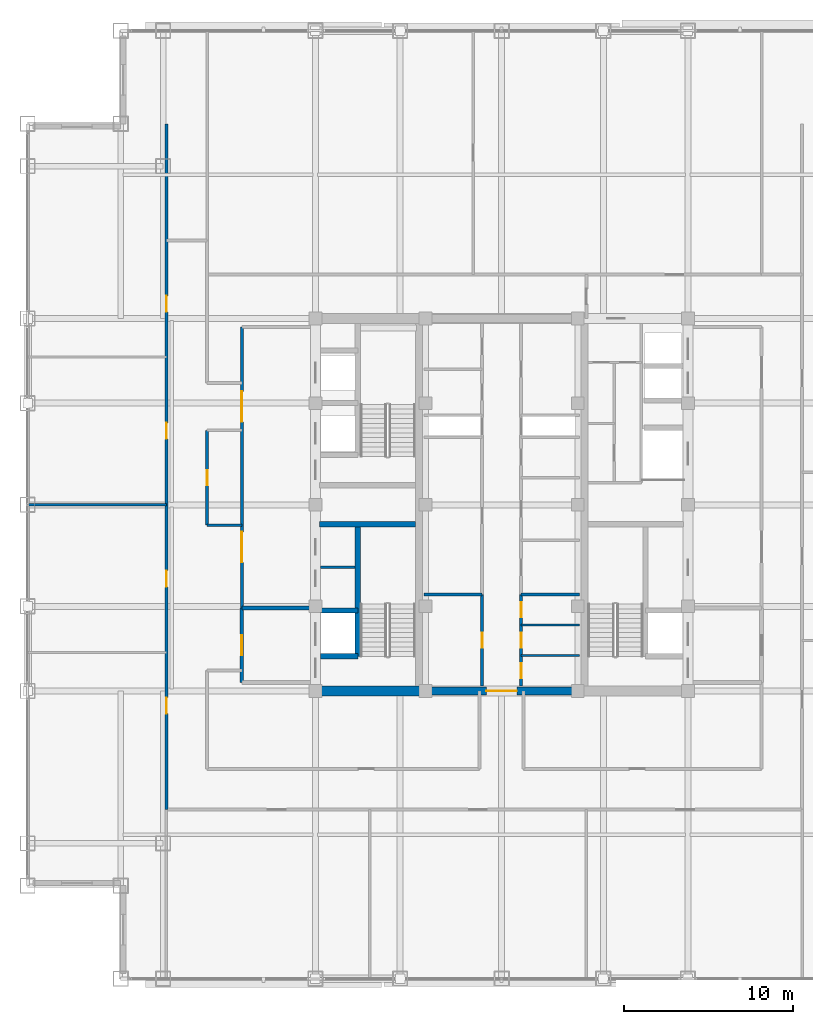
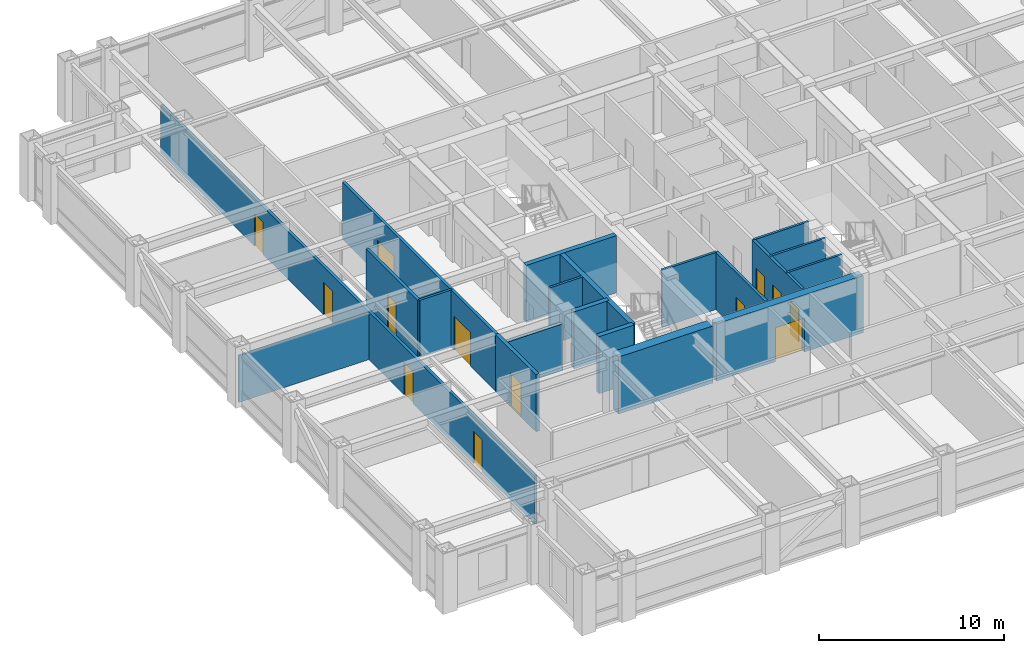
# One storey, part 18 of 27: 20 walls, 13 doors, 13 openings.
"""IFC4 building model written with IfcOpenShell, lengths in metres."""

import ifcopenshell
import ifcopenshell.guid

model = None  # the IFC model being written
_history = None  # IfcOwnerHistory: only IFC2X3 demands one
_inside = {}  # id of a spatial element -> (the spatial element, [elements in it])
_under = {}  # id of a project, library or spatial element -> (it, [spatial elements below it])
_declared = {}  # id of a project -> (the project, [libraries it declares])
_typed = {}  # id of a type object -> (the type object, [elements of that type])
_made_of = {}  # id of a material, layer set ... -> (it, [elements and type objects made of it])


def new_model(schema):
    """Start an empty IFC model of exactly this schema.

    Asked for "IFC4X3", IfcOpenShell would pick the latest addendum, in which some entities
    have other attributes; the version numbers below select the first issue.
    IFC2X3 requires an IfcOwnerHistory on every rooted entity: one is made here for all.
    """
    global model, _history
    if schema == "IFC4X3":
        model = ifcopenshell.file(schema_version=(4, 3, 0, 0))
    else:
        model = ifcopenshell.file(schema=schema)
    _inside.clear()
    _under.clear()
    _declared.clear()
    _typed.clear()
    _made_of.clear()
    _history = None
    if model.schema == "IFC2X3":
        org = make("IfcOrganization", Name="unknown")
        user = make(
            "IfcPersonAndOrganization",
            ThePerson=make("IfcPerson", FamilyName="unknown"),
            TheOrganization=org,
        )
        app = make(
            "IfcApplication",
            ApplicationDeveloper=org,
            Version="unknown",
            ApplicationFullName="unknown",
            ApplicationIdentifier="unknown",
        )
        _history = make(
            "IfcOwnerHistory",
            OwningUser=user,
            OwningApplication=app,
            ChangeAction="ADDED",
            CreationDate=0,
        )
    return model


def make(cls, **values):
    """One entity of the class cls with the attributes given. An attribute that is None is left unset."""
    return model.create_entity(
        cls, **{name: value for name, value in values.items() if value is not None}
    )


def rooted(cls, **values):
    """An entity with a GlobalId (a new one), such as an element, a storey or a relation."""
    return make(cls, GlobalId=ifcopenshell.guid.new(), OwnerHistory=_history, **values)


def si_unit(unit_type, name, prefix=None):
    """IfcSIUnit, for example si_unit("LENGTHUNIT", "METRE", prefix="MILLI")."""
    return make("IfcSIUnit", UnitType=unit_type, Prefix=prefix, Name=name)


def assignment(units):
    """IfcUnitAssignment: the units of a project."""
    return None if units is None else make("IfcUnitAssignment", Units=units)


def point(xyz):
    """IfcCartesianPoint."""
    return None if xyz is None else make("IfcCartesianPoint", Coordinates=xyz)


def direction(xyz):
    """IfcDirection."""
    return None if xyz is None else make("IfcDirection", DirectionRatios=xyz)


def frame(location, z_axis=None, x_axis=None):
    """IfcAxis2Placement3D, a coordinate frame: its origin and axes. An axis left out is left unset."""
    return make(
        "IfcAxis2Placement3D",
        Location=point(location),
        Axis=direction(z_axis),
        RefDirection=direction(x_axis),
    )


def frame_2d(location, x_axis=None):
    """IfcAxis2Placement2D, a coordinate frame in the plane: its origin and x axis."""
    return make(
        "IfcAxis2Placement2D", Location=point(location), RefDirection=direction(x_axis)
    )


def origin():
    """The frame at (0, 0, 0) with its axes left unset."""
    return frame((0.0, 0.0, 0.0))


def place(relative_to, where):
    """IfcLocalPlacement: puts the frame where relative to a parent placement (None: the world)."""
    return make(
        "IfcLocalPlacement", PlacementRelTo=relative_to, RelativePlacement=where
    )


def context(
    kind, dimensions, precision=None, world=None, true_north=None, identifier=None
):
    """IfcGeometricRepresentationContext, for example the 3D "Model" context."""
    return make(
        "IfcGeometricRepresentationContext",
        ContextIdentifier=identifier,
        ContextType=kind,
        CoordinateSpaceDimension=dimensions,
        Precision=precision,
        WorldCoordinateSystem=world,
        TrueNorth=true_north,
    )


def subcontext(parent, identifier, kind, view, scale=None):
    """IfcGeometricRepresentationSubContext, for example "Body" below "Model"."""
    return make(
        "IfcGeometricRepresentationSubContext",
        ContextIdentifier=identifier,
        ContextType=kind,
        ParentContext=parent,
        TargetScale=scale,
        TargetView=view,
    )


def project(units=None, contexts=None):
    """IfcProject with its units and contexts."""
    return rooted(
        "IfcProject",
        Name="project",
        RepresentationContexts=contexts,
        UnitsInContext=assignment(units),
    )


def spatial(cls, under=None, at=None, **own):
    """A site, building, storey or space (cls), placed at a placement, below another one or the project."""
    s = rooted(cls, ObjectPlacement=at, **own)
    if under is not None:
        _under.setdefault(under.id(), (under, []))[1].append(s)
    return s


def profile(cls, at=None, kind="AREA", **sizes):
    """A parametric profile (cls). Its sizes go by their IFC names, for example OverallWidth=200.0."""
    return make(cls, ProfileType=kind, Position=at, **sizes)


def rectangle(**sizes):
    """IfcRectangleProfileDef."""
    return profile("IfcRectangleProfileDef", **sizes)


def extrude(swept, where, along, depth):
    """IfcExtrudedAreaSolid: the profile swept, set in the frame where, extruded along a direction by depth."""
    return make(
        "IfcExtrudedAreaSolid",
        SweptArea=swept,
        Position=where,
        ExtrudedDirection=direction(along),
        Depth=depth,
    )


def shape(context_of_items, identifier, shape_type, items):
    """IfcShapeRepresentation: the items that make up one representation, for example the "Body"."""
    return make(
        "IfcShapeRepresentation",
        ContextOfItems=context_of_items,
        RepresentationIdentifier=identifier,
        RepresentationType=shape_type,
        Items=items,
    )


def source(mapping_origin, context_of_items, identifier, shape_type, items):
    """IfcRepresentationMap: a shape defined once, which mapped items show again and again."""
    return make(
        "IfcRepresentationMap",
        MappingOrigin=mapping_origin,
        MappedRepresentation=shape(context_of_items, identifier, shape_type, items),
    )


def transform(
    local_origin,
    x_axis=None,
    y_axis=None,
    z_axis=None,
    scale=None,
    scale2=None,
    scale3=None,
    uniform=True,
):
    """IfcCartesianTransformationOperator3D, or its non-uniform kind. x_axis, y_axis, z_axis: its Axis1, 2, 3."""
    if uniform:
        return make(
            "IfcCartesianTransformationOperator3D",
            Axis1=direction(x_axis),
            Axis2=direction(y_axis),
            LocalOrigin=point(local_origin),
            Scale=scale,
            Axis3=direction(z_axis),
        )
    return make(
        "IfcCartesianTransformationOperator3DnonUniform",
        Axis1=direction(x_axis),
        Axis2=direction(y_axis),
        LocalOrigin=point(local_origin),
        Scale=scale,
        Axis3=direction(z_axis),
        Scale2=scale2,
        Scale3=scale3,
    )


def mapped(mapping_source, mapping_target):
    """IfcMappedItem: shows the shape of a source again, moved by a transform."""
    return make(
        "IfcMappedItem", MappingSource=mapping_source, MappingTarget=mapping_target
    )


def material(Name=None, Category=None):
    """IfcMaterial."""
    return make("IfcMaterial", Name=Name, Category=Category)


def layer(
    of_material, thickness, ventilated=None, Name=None, Category=None, Priority=None
):
    """IfcMaterialLayer: one layer of a wall or slab, of a material (None: an air gap)."""
    return make(
        "IfcMaterialLayer",
        Material=of_material,
        LayerThickness=thickness,
        IsVentilated=ventilated,
        Name=Name,
        Category=Category,
        Priority=Priority,
    )


def layer_set(layers, Name=None):
    """IfcMaterialLayerSet."""
    return make("IfcMaterialLayerSet", MaterialLayers=layers, LayerSetName=Name)


def made_of(thing, what):
    """Note that an element or type object is made of a material, layer set ...; save() writes the relation."""
    if what is not None:
        _made_of.setdefault(what.id(), (what, []))[1].append(thing)
    return thing


def type_object(cls, material=None, **own):
    """A type object (cls), such as IfcWallType, which elements share."""
    return made_of(rooted(cls, **own), material)


def element(
    cls,
    number,
    at=None,
    inside=None,
    cuts=None,
    type_object=None,
    material=None,
    context=None,
    identifier="Body",
    shape_type=None,
    held_by="IfcProductDefinitionShape",
    body=None,
    shapes=None,
    **own,
):
    """One element of the class cls, such as IfcWall. Its Tag is "e" and its number.

    at: its placement. inside: the storey or other place that contains it. cuts: it is an
    opening in that element (IfcRelVoidsElement). A single representation is given by context,
    identifier, shape_type and body (its items); several are given by shapes. held_by: the class
    of the entity that holds the representations. save() writes the other relations.
    """
    e = rooted(cls, Tag="e%d" % number, ObjectPlacement=at, **own)
    if body is not None:
        shapes = [shape(context, identifier, shape_type, body)]
    if shapes is not None:
        e.Representation = make(held_by, Representations=shapes)
    if inside is not None:
        _inside.setdefault(inside.id(), (inside, []))[1].append(e)
    if cuts is not None:
        rooted(
            "IfcRelVoidsElement", RelatingBuildingElement=cuts, RelatedOpeningElement=e
        )
    if type_object is not None:
        _typed.setdefault(type_object.id(), (type_object, []))[1].append(e)
    return made_of(e, material)


def fill(opening, filler):
    """IfcRelFillsElement: the door or window that sits in an opening."""
    return rooted(
        "IfcRelFillsElement",
        RelatingOpeningElement=opening,
        RelatedBuildingElement=filler,
    )


def aggregate(whole, parts):
    """IfcRelAggregates: a whole, such as a stair, and the parts it consists of."""
    return rooted("IfcRelAggregates", RelatingObject=whole, RelatedObjects=parts)


def save(model, path):
    """Write the relations noted so far, then the file.

    IfcRelAggregates (storeys below a building ...), IfcRelContainedInSpatialStructure (elements
    in a storey), IfcRelDefinesByType, IfcRelAssociatesMaterial and IfcRelDeclares: one each for
    every whole, place, type object, material and project.
    """
    for whole, parts in _under.values():
        aggregate(whole, parts)
    for where, things in _inside.values():
        rooted(
            "IfcRelContainedInSpatialStructure",
            RelatedElements=things,
            RelatingStructure=where,
        )
    for kind, things in _typed.values():
        rooted("IfcRelDefinesByType", RelatedObjects=things, RelatingType=kind)
    for what, things in _made_of.values():
        rooted("IfcRelAssociatesMaterial", RelatedObjects=things, RelatingMaterial=what)
    for by, libraries in _declared.values():
        rooted("IfcRelDeclares", RelatingContext=by, RelatedDefinitions=libraries)
    model.write(path)


model = new_model("IFC4")

# Units and contexts
model_context = context("Model", 3, precision=1e-05, world=origin(), true_north=direction((0.0, 1.0)))
body_context = subcontext(model_context, "Body", "Model", "MODEL_VIEW")
ifc_project = project(units=[si_unit("LENGTHUNIT", "METRE"), si_unit("AREAUNIT", "SQUARE_METRE"), si_unit("VOLUMEUNIT", "CUBIC_METRE"), si_unit("PLANEANGLEUNIT", "RADIAN"), si_unit("MASSUNIT", "GRAM", prefix="KILO")], contexts=[model_context])

# Site, building, storey
site_placement = place(None, origin())
site = spatial("IfcSite", under=ifc_project, at=site_placement, CompositionType="ELEMENT")
building_placement = place(site_placement, origin())
building = spatial("IfcBuilding", under=site, at=building_placement, Name="Khorayat Bourse Tower", CompositionType="ELEMENT")
storey_placement = place(building_placement, frame((0.0, 0.0, 317.5)))
storey = spatial("IfcBuildingStorey", under=building, at=storey_placement, Name="L75", CompositionType="ELEMENT", Elevation=317.5)

# Walls
ifc_material_1 = material(Name="Concrete C60/75", Category="concrete")
ifc_layer_1 = layer(ifc_material_1, 0.60009765625)
ifc_layer_set_1 = layer_set([ifc_layer_1], Name="Concrete C60/75")
wall_type_1 = type_object("IfcWallType", Name="WAL-CORE-600", PredefinedType="SHEAR", material=ifc_layer_set_1)
shared_shape_1 = source(origin(), body_context, "Body", "SweptSolid", [
    extrude(rectangle(XDim=5.89990234375, YDim=0.60009765625, at=frame_2d((2.949951171875, 0.0))), origin(), (0.0, 0.0, 1.0), 3.780029296875),
])
wall_1_placement = place(storey_placement, frame((-10.75, -11.0, 0.0), z_axis=(0.0, 0.0, 1.0), x_axis=(1.0, 0.0, 0.0)))
element("IfcWall", 1, at=wall_1_placement, inside=storey, type_object=wall_type_1, Name="L75 Core Shear Wall PIER-WS", PredefinedType="SHEAR", context=body_context, shape_type="MappedRepresentation", body=[
    mapped(shared_shape_1, transform((0.0, 0.0, 0.0), scale=1.0)),
])
ifc_material_2 = material(Name="Concrete C50/60", Category="concrete")
ifc_layer_2 = layer(ifc_material_2, 0.300048828125)
ifc_layer_set_2 = layer_set([ifc_layer_2], Name="Concrete C50/60")
wall_type_2 = type_object("IfcWallType", Name="WAL-SHAFT-300", PredefinedType="SHEAR", material=ifc_layer_set_2)
shared_shape_2 = source(origin(), body_context, "Body", "SweptSolid", [
    extrude(rectangle(XDim=5.64990234375, YDim=0.300048828125, at=frame_2d((2.824951171875, 0.0))), origin(), (0.0, 0.0, 1.0), 3.780029296875),
])
wall_2_placement = place(storey_placement, frame((-10.75, -1.14990234375, 0.0), z_axis=(0.0, 0.0, 1.0), x_axis=(1.0, 0.0, 0.0)))
element("IfcWall", 2, at=wall_2_placement, inside=storey, type_object=wall_type_2, Name="L75 Core Shear Wall ST1-DIV", PredefinedType="SHEAR", context=body_context, shape_type="MappedRepresentation", body=[
    mapped(shared_shape_2, transform((0.0, 0.0, 0.0), scale=1.0)),
])

# Wall, opening, door
ifc_material_3 = material(Name="Concrete C52/65", Category="concrete")
ifc_layer_3 = layer(ifc_material_3, 0.5)
ifc_layer_set_3 = layer_set([ifc_layer_3], Name="Concrete C52/65")
wall_type_3 = type_object("IfcWallType", Name="WAL-CORE-500", PredefinedType="SHEAR", material=ifc_layer_set_3)
shared_shape_3 = source(origin(), body_context, "Body", "SweptSolid", [
    extrude(rectangle(XDim=9.2001953125, YDim=0.5, at=frame_2d((4.60009765625, 0.0))), origin(), (0.0, 0.0, 1.0), 3.780029296875),
])
wall_3_placement = place(storey_placement, frame((-4.60009765625, -11.0, 0.0), z_axis=(0.0, 0.0, 1.0), x_axis=(1.0, 0.0, 0.0)))
wall_3 = element("IfcWall", 3, at=wall_3_placement, inside=storey, type_object=wall_type_3, Name="L75 Core Shear Wall CORE-S", PredefinedType="SHEAR", context=body_context, shape_type="MappedRepresentation", body=[
    mapped(shared_shape_3, transform((0.0, 0.0, 0.0), scale=1.0)),
])
shared_shape_4 = source(origin(), body_context, "Body", "SweptSolid", [
    extrude(rectangle(XDim=1.800048828125, YDim=2.25, at=frame_2d((0.89990234375, 1.125))), frame((0.0, 0.260009765625, 0.0), z_axis=(0.0, -1.0, 0.0), x_axis=(1.0, 0.0, 0.0)), (0.0, 0.0, 1.0), 0.52001953125),
])
opening_1_placement = place(wall_3_placement, frame((3.699951171875, 0.0, 0.0)))
opening_1 = element("IfcOpeningElement", 4, at=opening_1_placement, cuts=wall_3, Name="Opening DI-03", PredefinedType="OPENING", context=body_context, shape_type="MappedRepresentation", body=[
    mapped(shared_shape_4, transform((0.0, 0.0, 0.0), scale=1.0)),
])
ifc_material_4 = material(Name="Fire-rated hardwood vision-panel double leaf", Category="wood")
door_type_1 = type_object("IfcDoorType", Name="DR-INT-CORR-1800", OperationType="NOTDEFINED", PredefinedType="DOOR", material=ifc_material_4)
shared_shape_5 = source(origin(), body_context, "Body", "SweptSolid", [
    extrude(rectangle(XDim=1.800048828125, YDim=2.25, at=frame_2d((0.89990234375, 1.125))), frame((0.0, 0.02490234375, 0.0), z_axis=(0.0, -1.0, 0.0), x_axis=(1.0, 0.0, 0.0)), (0.0, 0.0, 1.0), 0.050048828125),
])
door_1_placement = place(opening_1_placement, origin())
door_1 = element("IfcDoor", 5, at=door_1_placement, inside=storey, type_object=door_type_1, Name="L75 Central Core South Passage Door", OperationType="SINGLE_SWING_LEFT", OverallHeight=2.25, OverallWidth=1.800048828125, PredefinedType="DOOR", context=body_context, shape_type="MappedRepresentation", body=[
    mapped(shared_shape_5, transform((0.0, 0.0, 0.0), scale=1.0)),
])
fill(opening_1, door_1)

# Walls
ifc_material_5 = material(Name="Aerated concrete blockwork", Category="masonry")
ifc_layer_4 = layer(ifc_material_5, 0.219970703125)
ifc_layer_set_4 = layer_set([ifc_layer_4], Name="Aerated concrete blockwork")
wall_type_4 = type_object("IfcWallType", Name="WAL-PART-FF-220", PredefinedType="PARTITIONING", material=ifc_layer_set_4)
shared_shape_6 = source(origin(), body_context, "Body", "SweptSolid", [
    extrude(rectangle(XDim=4.050048828125, YDim=0.219970703125, at=frame_2d((2.02490234375, 0.0))), origin(), (0.0, 0.0, 1.0), 3.0849609375),
])
wall_4_placement = place(storey_placement, frame((-15.35009765625, -6.10009765625, 0.0), z_axis=(0.0, 0.0, 1.0), x_axis=(1.0, 0.0, 0.0)))
element("IfcWall", 6, at=wall_4_placement, inside=storey, type_object=wall_type_4, Name="L75 Partition WAL-L75-FFLW-N", PredefinedType="PARTITIONING", context=body_context, shape_type="MappedRepresentation", body=[
    mapped(shared_shape_6, transform((0.0, 0.0, 0.0), scale=1.0)),
])
shared_shape_7 = source(origin(), body_context, "Body", "SweptSolid", [
    extrude(rectangle(XDim=7.800048828125, YDim=0.300048828125, at=frame_2d((3.89990234375, 0.0))), origin(), (0.0, 0.0, 1.0), 3.780029296875),
])
wall_5_placement = place(storey_placement, frame((-8.5, -8.949951171875, 0.0), z_axis=(0.0, 0.0, 1.0), x_axis=(0.0, 1.0, 0.0)))
element("IfcWall", 7, at=wall_5_placement, inside=storey, type_object=wall_type_2, Name="L75 Partition WAL-L75-WPIER-SP", PredefinedType="SHEAR", context=body_context, shape_type="MappedRepresentation", body=[
    mapped(shared_shape_7, transform((0.0, 0.0, 0.0), scale=1.0)),
])
shared_shape_8 = source(origin(), body_context, "Body", "SweptSolid", [
    extrude(rectangle(XDim=2.199951171875, YDim=0.300048828125, at=frame_2d((1.10009765625, 0.0))), origin(), (0.0, 0.0, 1.0), 3.780029296875),
])
for number, where, z_axis, x_axis, name in (
    (8, (-10.699951171875, -8.949951171875, 0.0), (0.0, 0.0, 1.0), (1.0, 0.0, 0.0), "L75 Partition WAL-L75-WPIER-FF1S"),
    (9, (-10.699951171875, -6.25, 0.0), (0.0, 0.0, 1.0), (1.0, 0.0, 0.0), "L75 Partition WAL-L75-WPIER-FF1N"),
):
    element("IfcWall", number, at=place(storey_placement, frame(where, z_axis=z_axis, x_axis=x_axis)), inside=storey, type_object=wall_type_2, Name=name, PredefinedType="SHEAR", context=body_context, shape_type="MappedRepresentation", body=[
        mapped(shared_shape_8, transform((0.0, 0.0, 0.0), scale=1.0)),
    ])
ifc_material_6 = material(Name="Gypsum plasterboard twin-frame partition")
ifc_layer_5 = layer(ifc_material_6, 0.14990234375)
ifc_layer_set_5 = layer_set([ifc_layer_5], Name="Gypsum plasterboard twin-frame partition")
wall_type_5 = type_object("IfcWallType", Name="WAL-PART-SUITE-150", PredefinedType="PARTITIONING", material=ifc_layer_set_5)
shared_shape_9 = source(origin(), body_context, "Body", "SweptSolid", [
    extrude(rectangle(XDim=2.050048828125, YDim=0.14990234375, at=frame_2d((1.02490234375, 0.0))), origin(), (0.0, 0.0, 1.0), 3.780029296875),
])
wall_6_placement = place(storey_placement, frame((-10.699951171875, -3.699951171875, 0.0), z_axis=(0.0, 0.0, 1.0), x_axis=(1.0, 0.0, 0.0)))
element("IfcWall", 10, at=wall_6_placement, inside=storey, type_object=wall_type_5, Name="L75 Partition WAL-L75-WSRV-D1", PredefinedType="PARTITIONING", context=body_context, shape_type="MappedRepresentation", body=[
    mapped(shared_shape_9, transform((0.0, 0.0, 0.0), scale=1.0)),
])

# Wall, opening, door
shared_shape_10 = source(origin(), body_context, "Body", "SweptSolid", [
    extrude(rectangle(XDim=4.39990234375, YDim=0.219970703125, at=frame_2d((2.199951171875, 0.0))), origin(), (0.0, 0.0, 1.0), 3.780029296875),
])
wall_7_placement = place(storey_placement, frame((-15.35009765625, -10.5, 0.0), z_axis=(0.0, 0.0, 1.0), x_axis=(0.0, 1.0, 0.0)))
wall_7 = element("IfcWall", 11, at=wall_7_placement, inside=storey, type_object=wall_type_4, Name="L75 Partition WAL-L75-FFLW-W", PredefinedType="PARTITIONING", context=body_context, shape_type="MappedRepresentation", body=[
    mapped(shared_shape_10, transform((0.0, 0.0, 0.0), scale=1.0)),
])
shared_shape_11 = source(origin(), body_context, "Body", "SweptSolid", [
    extrude(rectangle(XDim=1.199951171875, YDim=2.199951171875, at=frame_2d((0.60009765625, 1.10009765625))), frame((0.0, 0.119873046875, 0.0), z_axis=(0.0, -1.0, 0.0), x_axis=(1.0, 0.0, 0.0)), (0.0, 0.0, 1.0), 0.239990234375),
])
opening_2_placement = place(wall_7_placement, frame((1.60009765625, 0.0, 0.0)))
opening_2 = element("IfcOpeningElement", 12, at=opening_2_placement, cuts=wall_7, Name="Opening DI-02", PredefinedType="OPENING", context=body_context, shape_type="MappedRepresentation", body=[
    mapped(shared_shape_11, transform((0.0, 0.0, 0.0), scale=1.0)),
])
ifc_material_7 = material(Name="Fire-rated steel double-seal leaf", Category="steel")
door_type_2 = type_object("IfcDoorType", Name="DR-INT-FFLOBBY-1200", OperationType="NOTDEFINED", PredefinedType="DOOR", material=ifc_material_7)
shared_shape_12 = source(origin(), body_context, "Body", "SweptSolid", [
    extrude(rectangle(XDim=1.199951171875, YDim=2.199951171875, at=frame_2d((0.60009765625, 1.10009765625))), frame((0.0, 0.02490234375, 0.0), z_axis=(0.0, -1.0, 0.0), x_axis=(1.0, 0.0, 0.0)), (0.0, 0.0, 1.0), 0.050048828125),
])
door_2_placement = place(opening_2_placement, origin())
door_2 = element("IfcDoor", 13, at=door_2_placement, inside=storey, type_object=door_type_2, Name="L75 West Firefighting Lobby Door", OperationType="SINGLE_SWING_LEFT", OverallHeight=2.199951171875, OverallWidth=1.199951171875, PredefinedType="DOOR", context=body_context, shape_type="MappedRepresentation", body=[
    mapped(shared_shape_12, transform((0.0, 0.0, 0.0), scale=1.0)),
])
fill(opening_2, door_2)

# Wall, openings, doors
ifc_material_8 = material(Name="Gypsum plasterboard acoustic stud wall")
ifc_layer_6 = layer(ifc_material_8, 0.179931640625)
ifc_layer_set_6 = layer_set([ifc_layer_6], Name="Gypsum plasterboard acoustic stud wall")
wall_type_6 = type_object("IfcWallType", Name="WAL-PART-CORR-180", PredefinedType="PARTITIONING", material=ifc_layer_set_6)
shared_shape_13 = source(origin(), body_context, "Body", "SweptSolid", [
    extrude(rectangle(XDim=16.60009765625, YDim=0.179931640625, at=frame_2d((8.300048828125, 0.0))), origin(), (0.0, 0.0, 1.0), 3.780029296875),
])
wall_8_placement = place(storey_placement, frame((-15.35009765625, -6.10009765625, 0.0), z_axis=(0.0, 0.0, 1.0), x_axis=(0.0, 1.0, 0.0)))
wall_8 = element("IfcWall", 14, at=wall_8_placement, inside=storey, type_object=wall_type_6, Name="L75 Partition WAL-L75-WLOB-W", PredefinedType="PARTITIONING", context=body_context, shape_type="MappedRepresentation", body=[
    mapped(shared_shape_13, transform((0.0, 0.0, 0.0), scale=1.0)),
])
shared_shape_14 = source(origin(), body_context, "Body", "SweptSolid", [
    extrude(rectangle(XDim=1.800048828125, YDim=2.25, at=frame_2d((0.89990234375, 1.125))), frame((0.0, 0.099853515625, 0.0), z_axis=(0.0, -1.0, 0.0), x_axis=(1.0, 0.0, 0.0)), (0.0, 0.0, 1.0), 0.199951171875),
])
opening_3_placement = place(wall_8_placement, frame((2.699951171875, 0.0, 0.0)))
opening_3 = element("IfcOpeningElement", 15, at=opening_3_placement, cuts=wall_8, Name="Opening DI-03", PredefinedType="OPENING", context=body_context, shape_type="MappedRepresentation", body=[
    mapped(shared_shape_14, transform((0.0, 0.0, 0.0), scale=1.0)),
])
opening_4_placement = place(wall_8_placement, frame((11.0, 0.0, 0.0)))
opening_4 = element("IfcOpeningElement", 16, at=opening_4_placement, cuts=wall_8, Name="Opening DI-03", PredefinedType="OPENING", context=body_context, shape_type="MappedRepresentation", body=[
    mapped(shared_shape_14, transform((0.0, 0.0, 0.0), scale=1.0)),
])
door_3_placement = place(opening_3_placement, origin())
door_3 = element("IfcDoor", 17, at=door_3_placement, inside=storey, type_object=door_type_1, Name="L75 West Core Lobby South Door", OperationType="SINGLE_SWING_LEFT", OverallHeight=2.25, OverallWidth=1.800048828125, PredefinedType="DOOR", context=body_context, shape_type="MappedRepresentation", body=[
    mapped(shared_shape_5, transform((0.0, 0.0, 0.0), scale=1.0)),
])
fill(opening_3, door_3)
door_4_placement = place(opening_4_placement, origin())
door_4 = element("IfcDoor", 18, at=door_4_placement, inside=storey, type_object=door_type_1, Name="L75 West Core Lobby North Door", OperationType="SINGLE_SWING_RIGHT", OverallHeight=2.25, OverallWidth=1.800048828125, PredefinedType="DOOR", context=body_context, shape_type="MappedRepresentation", body=[
    mapped(shared_shape_5, transform((0.0, 0.0, 0.0), scale=1.0)),
])
fill(opening_4, door_4)

# Walls
shared_shape_15 = source(origin(), body_context, "Body", "SweptSolid", [
    extrude(rectangle(XDim=3.4501953125, YDim=0.14990234375, at=frame_2d((1.72509765625, 0.0))), origin(), (0.0, 0.0, 1.0), 3.780029296875),
])
for number, where, z_axis, x_axis, name in (
    (19, (-4.60009765625, -5.300048828125, 0.0), (0.0, 0.0, 1.0), (1.0, 0.0, 0.0), "L75 Partition WAL-L75-FB1-NW"),
    (20, (1.14990234375, -5.300048828125, 0.0), (0.0, 0.0, 1.0), (1.0, 0.0, 0.0), "L75 Partition WAL-L75-FB1-NE"),
):
    element("IfcWall", number, at=place(storey_placement, frame(where, z_axis=z_axis, x_axis=x_axis)), inside=storey, type_object=wall_type_5, Name=name, PredefinedType="PARTITIONING", context=body_context, shape_type="MappedRepresentation", body=[
        mapped(shared_shape_15, transform((0.0, 0.0, 0.0), scale=1.0)),
    ])

# Wall, opening, door
shared_shape_16 = source(origin(), body_context, "Body", "SweptSolid", [
    extrude(rectangle(XDim=5.39990234375, YDim=0.179931640625, at=frame_2d((2.699951171875, 0.0))), origin(), (0.0, 0.0, 1.0), 3.780029296875),
])
wall_9_placement = place(storey_placement, frame((-1.14990234375, -10.699951171875, 0.0), z_axis=(0.0, 0.0, 1.0), x_axis=(0.0, 1.0, 0.0)))
wall_9 = element("IfcWall", 21, at=wall_9_placement, inside=storey, type_object=wall_type_6, Name="L75 Partition WAL-L75-FB1W-L", PredefinedType="PARTITIONING", context=body_context, shape_type="MappedRepresentation", body=[
    mapped(shared_shape_16, transform((0.0, 0.0, 0.0), scale=1.0)),
])
shared_shape_17 = source(origin(), body_context, "Body", "SweptSolid", [
    extrude(rectangle(XDim=0.89990234375, YDim=2.14990234375, at=frame_2d((0.449951171875, 1.074951171875))), frame((0.0, 0.099853515625, 0.0), z_axis=(0.0, -1.0, 0.0), x_axis=(1.0, 0.0, 0.0)), (0.0, 0.0, 1.0), 0.199951171875),
])
opening_5_placement = place(wall_9_placement, frame((2.25, 0.0, 0.0)))
opening_5 = element("IfcOpeningElement", 22, at=opening_5_placement, cuts=wall_9, Name="Opening DI-06", PredefinedType="OPENING", context=body_context, shape_type="MappedRepresentation", body=[
    mapped(shared_shape_17, transform((0.0, 0.0, 0.0), scale=1.0)),
])
ifc_material_9 = material(Name="Moisture-resistant laminate washroom door")
door_type_3 = type_object("IfcDoorType", Name="DR-INT-WC-900", OperationType="NOTDEFINED", PredefinedType="DOOR", material=ifc_material_9)
shared_shape_18 = source(origin(), body_context, "Body", "SweptSolid", [
    extrude(rectangle(XDim=0.89990234375, YDim=2.14990234375, at=frame_2d((0.449951171875, 1.074951171875))), frame((0.0, 0.02490234375, 0.0), z_axis=(0.0, -1.0, 0.0), x_axis=(1.0, 0.0, 0.0)), (0.0, 0.0, 1.0), 0.050048828125),
])
door_5_placement = place(opening_5_placement, origin())
door_5 = element("IfcDoor", 23, at=door_5_placement, inside=storey, type_object=door_type_3, Name="L75 IT Comms Server Plant Room Door", OperationType="SINGLE_SWING_RIGHT", OverallHeight=2.14990234375, OverallWidth=0.89990234375, PredefinedType="DOOR", context=body_context, shape_type="MappedRepresentation", body=[
    mapped(shared_shape_18, transform((0.0, 0.0, 0.0), scale=1.0)),
])
fill(opening_5, door_5)

# Wall, openings, doors
wall_10_placement = place(storey_placement, frame((1.14990234375, -10.699951171875, 0.0), z_axis=(0.0, 0.0, 1.0), x_axis=(0.0, 1.0, 0.0)))
wall_10 = element("IfcWall", 24, at=wall_10_placement, inside=storey, type_object=wall_type_6, Name="L75 Partition WAL-L75-FB1E-L", PredefinedType="PARTITIONING", context=body_context, shape_type="MappedRepresentation", body=[
    mapped(shared_shape_16, transform((0.0, 0.0, 0.0), scale=1.0)),
])
opening_6_placement = place(wall_10_placement, frame((0.449951171875, 0.0, 0.0)))
opening_6 = element("IfcOpeningElement", 25, at=opening_6_placement, cuts=wall_10, Name="Opening DI-06", PredefinedType="OPENING", context=body_context, shape_type="MappedRepresentation", body=[
    mapped(shared_shape_17, transform((0.0, 0.0, 0.0), scale=1.0)),
])
opening_7_placement = place(wall_10_placement, frame((2.25, 0.0, 0.0)))
opening_7 = element("IfcOpeningElement", 26, at=opening_7_placement, cuts=wall_10, Name="Opening DI-06", PredefinedType="OPENING", context=body_context, shape_type="MappedRepresentation", body=[
    mapped(shared_shape_17, transform((0.0, 0.0, 0.0), scale=1.0)),
])
opening_8_placement = place(wall_10_placement, frame((4.050048828125, 0.0, 0.0)))
opening_8 = element("IfcOpeningElement", 27, at=opening_8_placement, cuts=wall_10, Name="Opening DI-06", PredefinedType="OPENING", context=body_context, shape_type="MappedRepresentation", body=[
    mapped(shared_shape_17, transform((0.0, 0.0, 0.0), scale=1.0)),
])
door_6_placement = place(opening_6_placement, origin())
door_6 = element("IfcDoor", 28, at=door_6_placement, inside=storey, type_object=door_type_3, Name="L75 Stationery Store Door", OperationType="SINGLE_SWING_RIGHT", OverallHeight=2.14990234375, OverallWidth=0.89990234375, PredefinedType="DOOR", context=body_context, shape_type="MappedRepresentation", body=[
    mapped(shared_shape_18, transform((0.0, 0.0, 0.0), scale=1.0)),
])
fill(opening_6, door_6)
door_7_placement = place(opening_7_placement, origin())
door_7 = element("IfcDoor", 29, at=door_7_placement, inside=storey, type_object=door_type_3, Name="L75 Meter Closet Door", OperationType="SINGLE_SWING_LEFT", OverallHeight=2.14990234375, OverallWidth=0.89990234375, PredefinedType="DOOR", context=body_context, shape_type="MappedRepresentation", body=[
    mapped(shared_shape_18, transform((0.0, 0.0, 0.0), scale=1.0)),
])
fill(opening_7, door_7)
door_8_placement = place(opening_8_placement, origin())
door_8 = element("IfcDoor", 30, at=door_8_placement, inside=storey, type_object=door_type_3, Name="L75 Print Room Door", OperationType="SINGLE_SWING_RIGHT", OverallHeight=2.14990234375, OverallWidth=0.89990234375, PredefinedType="DOOR", context=body_context, shape_type="MappedRepresentation", body=[
    mapped(shared_shape_18, transform((0.0, 0.0, 0.0), scale=1.0)),
])
fill(opening_8, door_8)

# Walls
ifc_material_10 = material(Name="Moisture-resistant masonry partition", Category="masonry")
ifc_layer_7 = layer(ifc_material_10, 0.139892578125)
ifc_layer_set_7 = layer_set([ifc_layer_7], Name="Moisture-resistant masonry partition")
wall_type_7 = type_object("IfcWallType", Name="WAL-PART-WET-140", PredefinedType="PARTITIONING", material=ifc_layer_set_7)
shared_shape_19 = source(origin(), body_context, "Body", "SweptSolid", [
    extrude(rectangle(XDim=3.4501953125, YDim=0.139892578125, at=frame_2d((1.72509765625, 0.0))), origin(), (0.0, 0.0, 1.0), 3.780029296875),
])
for number, where, z_axis, x_axis, name in (
    (31, (1.14990234375, -8.89990234375, 0.0), (0.0, 0.0, 1.0), (1.0, 0.0, 0.0), "L75 Partition WAL-L75-FB1E-D1"),
    (32, (1.14990234375, -7.10009765625, 0.0), (0.0, 0.0, 1.0), (1.0, 0.0, 0.0), "L75 Partition WAL-L75-FB1E-D2"),
):
    element("IfcWall", number, at=place(storey_placement, frame(where, z_axis=z_axis, x_axis=x_axis)), inside=storey, type_object=wall_type_7, Name=name, PredefinedType="PARTITIONING", context=body_context, shape_type="MappedRepresentation", body=[
        mapped(shared_shape_19, transform((0.0, 0.0, 0.0), scale=1.0)),
    ])

# Wall, opening, door
shared_shape_20 = source(origin(), body_context, "Body", "SweptSolid", [
    extrude(rectangle(XDim=5.599853515625, YDim=0.179931640625, at=frame_2d((2.7998046875, 0.0))), origin(), (0.0, 0.0, 1.0), 3.780029296875),
])
wall_11_placement = place(storey_placement, frame((-17.39990234375, -1.199951171875, 0.0), z_axis=(0.0, 0.0, 1.0), x_axis=(0.0, 1.0, 0.0)))
wall_11 = element("IfcWall", 33, at=wall_11_placement, inside=storey, type_object=wall_type_6, Name="L75 Partition WAL-L75-PKWM-W", PredefinedType="PARTITIONING", context=body_context, shape_type="MappedRepresentation", body=[
    mapped(shared_shape_20, transform((0.0, 0.0, 0.0), scale=1.0)),
])
opening_9_placement = place(wall_11_placement, frame((2.35009765625, 0.0, 0.0)))
opening_9 = element("IfcOpeningElement", 34, at=opening_9_placement, cuts=wall_11, Name="Opening DI-06", PredefinedType="OPENING", context=body_context, shape_type="MappedRepresentation", body=[
    mapped(shared_shape_17, transform((0.0, 0.0, 0.0), scale=1.0)),
])
door_9_placement = place(opening_9_placement, origin())
door_9 = element("IfcDoor", 35, at=door_9_placement, inside=storey, type_object=door_type_3, Name="L75 West Inboard Focus Door", OperationType="SINGLE_SWING_LEFT", OverallHeight=2.14990234375, OverallWidth=0.89990234375, PredefinedType="DOOR", context=body_context, shape_type="MappedRepresentation", body=[
    mapped(shared_shape_18, transform((0.0, 0.0, 0.0), scale=1.0)),
])
fill(opening_9, door_9)

# Walls
shared_shape_21 = source(origin(), body_context, "Body", "SweptSolid", [
    extrude(rectangle(XDim=2.0498046875, YDim=0.14990234375, at=frame_2d((1.02490234375, 0.0))), origin(), (0.0, 0.0, 1.0), 3.780029296875),
])
wall_12_placement = place(storey_placement, frame((-17.39990234375, -1.199951171875, 0.0), z_axis=(0.0, 0.0, 1.0), x_axis=(1.0, 0.0, 0.0)))
element("IfcWall", 36, at=wall_12_placement, inside=storey, type_object=wall_type_5, Name="L75 Partition WAL-L75-PKWM-S", PredefinedType="PARTITIONING", context=body_context, shape_type="MappedRepresentation", body=[
    mapped(shared_shape_21, transform((0.0, 0.0, 0.0), scale=1.0)),
])
ifc_material_11 = material(Name="Gypsum plasterboard partition")
ifc_layer_8 = layer(ifc_material_11, 0.125)
ifc_layer_set_8 = layer_set([ifc_layer_8], Name="Gypsum plasterboard partition")
wall_type_8 = type_object("IfcWallType", Name="WAL-PART-ROOM-125", PredefinedType="PARTITIONING", material=ifc_layer_set_8)
shared_shape_22 = source(origin(), body_context, "Body", "SweptSolid", [
    extrude(rectangle(XDim=8.199951171875, YDim=0.125, at=frame_2d((4.10009765625, 0.0))), origin(), (0.0, 0.0, 1.0), 3.0849609375),
])
wall_13_placement = place(storey_placement, frame((-28.0, 0.0, 0.0), z_axis=(0.0, 0.0, 1.0), x_axis=(1.0, 0.0, 0.0)))
element("IfcWall", 37, at=wall_13_placement, inside=storey, type_object=wall_type_8, Name="L75 Partition WAL-L75-WDV-2", PredefinedType="PARTITIONING", context=body_context, shape_type="MappedRepresentation", body=[
    mapped(shared_shape_22, transform((0.0, 0.0, 0.0), scale=1.0)),
])

# Wall, openings, doors
shared_shape_23 = source(origin(), body_context, "Body", "SweptSolid", [
    extrude(rectangle(XDim=40.5, YDim=0.179931640625, at=frame_2d((20.25, 0.0))), origin(), (0.0, 0.0, 1.0), 3.1640625),
])
wall_14_placement = place(storey_placement, frame((-19.800048828125, -18.0, 0.0), z_axis=(0.0, 0.0, 1.0), x_axis=(0.0, 1.0, 0.0)))
wall_14 = element("IfcWall", 38, at=wall_14_placement, inside=storey, type_object=wall_type_6, Name="L75 Partition WAL-L75-WCORR", PredefinedType="PARTITIONING", context=body_context, shape_type="MappedRepresentation", body=[
    mapped(shared_shape_23, transform((0.0, 0.0, 0.0), scale=1.0)),
])
shared_shape_24 = source(origin(), body_context, "Body", "SweptSolid", [
    extrude(rectangle(XDim=0.949951171875, YDim=2.14990234375, at=frame_2d((0.47509765625, 1.074951171875))), frame((0.0, 0.099853515625, 0.0), z_axis=(0.0, -1.0, 0.0), x_axis=(1.0, 0.0, 0.0)), (0.0, 0.0, 1.0), 0.199951171875),
])
opening_10_placement = place(wall_14_placement, frame((5.656982421875, 0.0, 0.0)))
opening_10 = element("IfcOpeningElement", 39, at=opening_10_placement, cuts=wall_14, Name="Opening DI-05", PredefinedType="OPENING", context=body_context, shape_type="MappedRepresentation", body=[
    mapped(shared_shape_24, transform((0.0, 0.0, 0.0), scale=1.0)),
])
opening_11_placement = place(wall_14_placement, frame((13.156982421875, 0.0, 0.0)))
opening_11 = element("IfcOpeningElement", 40, at=opening_11_placement, cuts=wall_14, Name="Opening DI-05", PredefinedType="OPENING", context=body_context, shape_type="MappedRepresentation", body=[
    mapped(shared_shape_24, transform((0.0, 0.0, 0.0), scale=1.0)),
])
opening_12_placement = place(wall_14_placement, frame((21.89306640625, 0.0, 0.0)))
opening_12 = element("IfcOpeningElement", 41, at=opening_12_placement, cuts=wall_14, Name="Opening DI-05", PredefinedType="OPENING", context=body_context, shape_type="MappedRepresentation", body=[
    mapped(shared_shape_24, transform((0.0, 0.0, 0.0), scale=1.0)),
])
opening_13_placement = place(wall_14_placement, frame((29.39306640625, 0.0, 0.0)))
opening_13 = element("IfcOpeningElement", 42, at=opening_13_placement, cuts=wall_14, Name="Opening DI-05", PredefinedType="OPENING", context=body_context, shape_type="MappedRepresentation", body=[
    mapped(shared_shape_24, transform((0.0, 0.0, 0.0), scale=1.0)),
])
ifc_material_12 = material(Name="Acoustic oak veneer office door")
door_type_4 = type_object("IfcDoorType", Name="DR-INT-OFFICE-950", OperationType="NOTDEFINED", PredefinedType="DOOR", material=ifc_material_12)
shared_shape_25 = source(origin(), body_context, "Body", "SweptSolid", [
    extrude(rectangle(XDim=0.949951171875, YDim=2.14990234375, at=frame_2d((0.47509765625, 1.074951171875))), frame((0.0, 0.02490234375, 0.0), z_axis=(0.0, -1.0, 0.0), x_axis=(1.0, 0.0, 0.0)), (0.0, 0.0, 1.0), 0.050048828125),
])
door_10_placement = place(opening_10_placement, origin())
door_10 = element("IfcDoor", 43, at=door_10_placement, inside=storey, type_object=door_type_4, Name="L75 Market Committee Conference Room W1 Door", OperationType="SINGLE_SWING_RIGHT", OverallHeight=2.14990234375, OverallWidth=0.949951171875, PredefinedType="DOOR", context=body_context, shape_type="MappedRepresentation", body=[
    mapped(shared_shape_25, transform((0.0, 0.0, 0.0), scale=1.0)),
])
fill(opening_10, door_10)
door_11_placement = place(opening_11_placement, origin())
door_11 = element("IfcDoor", 44, at=door_11_placement, inside=storey, type_object=door_type_4, Name="L75 Market Reference Library W2 Door", OperationType="SINGLE_SWING_LEFT", OverallHeight=2.14990234375, OverallWidth=0.949951171875, PredefinedType="DOOR", context=body_context, shape_type="MappedRepresentation", body=[
    mapped(shared_shape_25, transform((0.0, 0.0, 0.0), scale=1.0)),
])
fill(opening_11, door_11)
door_12_placement = place(opening_12_placement, origin())
door_12 = element("IfcDoor", 45, at=door_12_placement, inside=storey, type_object=door_type_4, Name="L75 Staff Tea Pantry W3 Door", OperationType="SINGLE_SWING_RIGHT", OverallHeight=2.14990234375, OverallWidth=0.949951171875, PredefinedType="DOOR", context=body_context, shape_type="MappedRepresentation", body=[
    mapped(shared_shape_25, transform((0.0, 0.0, 0.0), scale=1.0)),
])
fill(opening_12, door_12)
door_13_placement = place(opening_13_placement, origin())
door_13 = element("IfcDoor", 46, at=door_13_placement, inside=storey, type_object=door_type_4, Name="L75 Public Washrooms and Restrooms W4 Door", OperationType="SINGLE_SWING_LEFT", OverallHeight=2.14990234375, OverallWidth=0.949951171875, PredefinedType="DOOR", context=body_context, shape_type="MappedRepresentation", body=[
    mapped(shared_shape_25, transform((0.0, 0.0, 0.0), scale=1.0)),
])
fill(opening_13, door_13)

save(model, "model.ifc")
